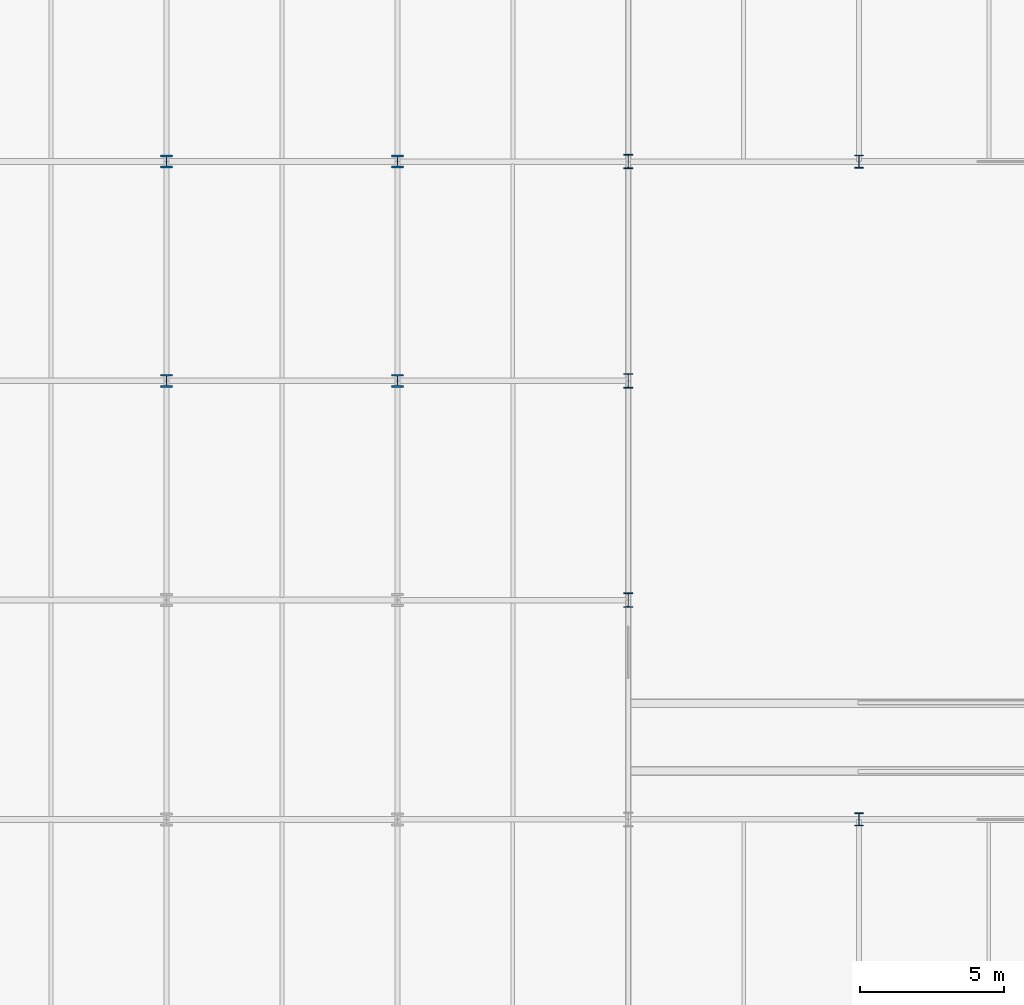
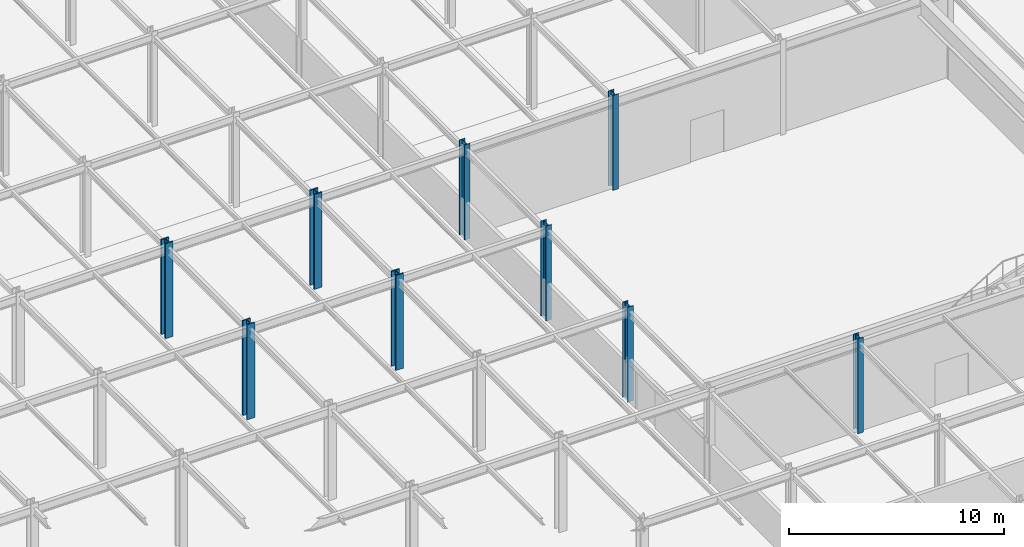
# One storey, part 8 of 89: 9 columns.
"""IFC4 building model written with IfcOpenShell, lengths in metres."""

from ifc_helpers import new_model, si_unit, direction, frame, origin, origin_2d, place, context, subcontext, project, spatial, i_section, extrude, material, material_profile, profile_set, type_object, element, save


model = new_model("IFC4")

# Units and contexts
model_context = context("Model", 3, precision=1e-05, world=origin(), true_north=direction((0.0, 1.0)))
body_context = subcontext(model_context, "Body", "Model", "MODEL_VIEW")
ifc_project = project(units=[si_unit("LENGTHUNIT", "METRE"), si_unit("AREAUNIT", "SQUARE_METRE"), si_unit("VOLUMEUNIT", "CUBIC_METRE"), si_unit("PLANEANGLEUNIT", "RADIAN"), si_unit("MASSUNIT", "GRAM", prefix="KILO")], contexts=[model_context])

# Site, building, storey
site_placement = place(None, origin())
site = spatial("IfcSite", under=ifc_project, at=site_placement, CompositionType="ELEMENT")
building_placement = place(site_placement, origin())
building = spatial("IfcBuilding", under=site, at=building_placement, Name="Shalkamar Park Central Library", CompositionType="ELEMENT")
storey_placement = place(building_placement, origin())
storey = spatial("IfcBuildingStorey", under=building, at=storey_placement, Name="L01", CompositionType="ELEMENT", Elevation=0.0)

# Columns
ifc_material = material(Name="Steel S355", Category="steel")
ifc_material_profile_1 = material_profile(ifc_material, i_section(OverallWidth=0.41796875, OverallDepth=0.455078125, WebThickness=0.0419921875, FlangeThickness=0.067626953125, FilletRadius=0.014892578125, at=origin_2d()), Name="HD 400x551")
ifc_profile_set_1 = profile_set([ifc_material_profile_1], Name="Steel S355")
column_type_1 = type_object("IfcColumnType", Name="Column Steel HD400x551", PredefinedType="COLUMN", material=ifc_profile_set_1)
for number, where, z_axis, x_axis, name in (
    (1, (213.0, 285.60009765625, 0.0), (0.0, 0.0, 1.0), (1.0, 0.0, 0.0), "Column 13/G (L01)"),
    (2, (213.0, 293.199951171875, 0.0), (0.0, 0.0, 1.0), (1.0, 0.0, 0.0), "Column 13/H (L01)"),
    (3, (221.0, 285.60009765625, 0.0), (0.0, 0.0, 1.0), (1.0, 0.0, 0.0), "Column 14/G (L01)"),
    (4, (221.0, 293.199951171875, 0.0), (0.0, 0.0, 1.0), (1.0, 0.0, 0.0), "Column 14/H (L01)"),
):
    element("IfcColumn", number, at=place(storey_placement, frame(where, z_axis=z_axis, x_axis=x_axis)), inside=storey, type_object=column_type_1, Name=name, PredefinedType="COLUMN", context=body_context, shape_type="SweptSolid", body=[
        extrude(i_section(OverallWidth=0.41796875, OverallDepth=0.455078125, WebThickness=0.0419921875, FlangeThickness=0.067626953125, FilletRadius=0.014892578125, at=origin_2d()), origin(), (0.0, 0.0, 1.0), 5.39990234375),
    ])
ifc_material_profile_2 = material_profile(ifc_material, i_section(OverallWidth=0.300048828125, OverallDepth=0.449951171875, WebThickness=0.013916015625, FlangeThickness=0.02587890625, FilletRadius=0.027099609375, at=origin_2d()), Name="HEB 450")
ifc_profile_set_2 = profile_set([ifc_material_profile_2], Name="Steel S355")
column_type_2 = type_object("IfcColumnType", Name="Column Steel HEB450", PredefinedType="COLUMN", material=ifc_profile_set_2)
for number, where, z_axis, x_axis, name in (
    (5, (237.0, 270.39990234375, 0.0), (0.0, 0.0, 1.0), (1.0, 0.0, 0.0), "Column 16/E (L01)"),
    (6, (237.0, 293.199951171875, 0.0), (0.0, 0.0, 1.0), (1.0, 0.0, 0.0), "Column 16/H (L01)"),
):
    element("IfcColumn", number, at=place(storey_placement, frame(where, z_axis=z_axis, x_axis=x_axis)), inside=storey, type_object=column_type_2, Name=name, PredefinedType="COLUMN", context=body_context, shape_type="SweptSolid", body=[
        extrude(i_section(OverallWidth=0.300048828125, OverallDepth=0.449951171875, WebThickness=0.013916015625, FlangeThickness=0.02587890625, FilletRadius=0.027099609375, at=origin_2d()), origin(), (0.0, 0.0, 1.0), 5.39990234375),
    ])
ifc_material_profile_3 = material_profile(ifc_material, i_section(OverallWidth=0.300048828125, OverallDepth=0.5, WebThickness=0.014404296875, FlangeThickness=0.028076171875, FilletRadius=0.027099609375, at=origin_2d()), Name="HEB 500")
ifc_profile_set_3 = profile_set([ifc_material_profile_3], Name="Steel S355")
column_type_3 = type_object("IfcColumnType", Name="Column Steel HEB500", PredefinedType="COLUMN", material=ifc_profile_set_3)
for number, where, z_axis, x_axis, name in (
    (7, (229.0, 278.0, 0.0), (0.0, 0.0, 1.0), (1.0, 0.0, 0.0), "Column 15/F (L01)"),
    (8, (229.0, 285.60009765625, 0.0), (0.0, 0.0, 1.0), (1.0, 0.0, 0.0), "Column 15/G (L01)"),
    (9, (229.0, 293.199951171875, 0.0), (0.0, 0.0, 1.0), (1.0, 0.0, 0.0), "Column 15/H (L01)"),
):
    element("IfcColumn", number, at=place(storey_placement, frame(where, z_axis=z_axis, x_axis=x_axis)), inside=storey, type_object=column_type_3, Name=name, PredefinedType="COLUMN", context=body_context, shape_type="SweptSolid", body=[
        extrude(i_section(OverallWidth=0.300048828125, OverallDepth=0.5, WebThickness=0.014404296875, FlangeThickness=0.028076171875, FilletRadius=0.027099609375, at=origin_2d()), origin(), (0.0, 0.0, 1.0), 5.39990234375),
    ])

save(model, "model.ifc")
